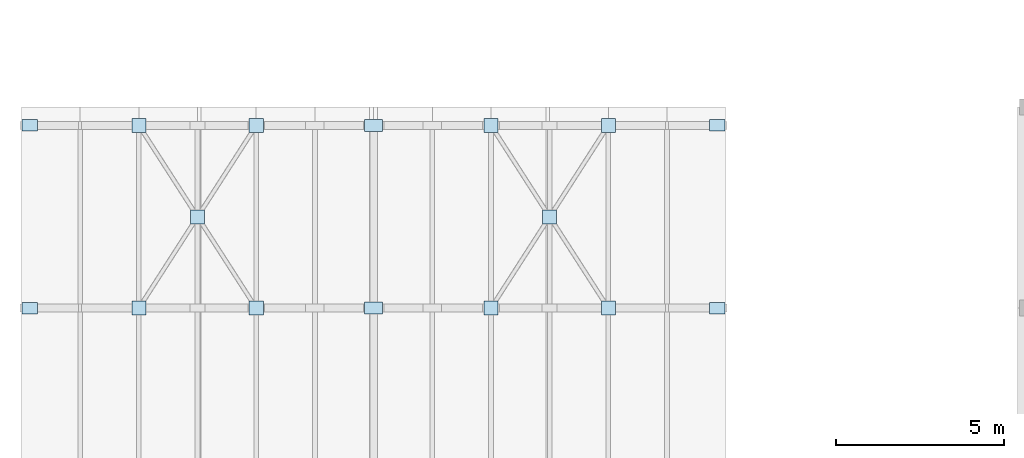
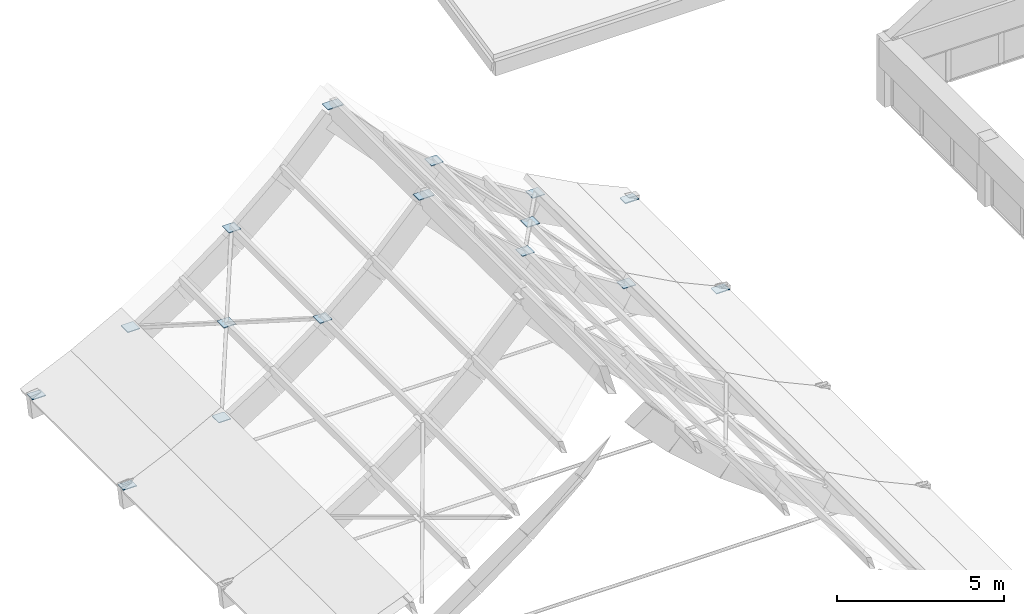
# One storey, part 34 of 45: 16 plates.
"""IFC4 building model written with IfcOpenShell, lengths in metres."""

from ifc_helpers import new_model, si_unit, direction, frame, origin, origin_2d, place, context, subcontext, project, spatial, rectangle, extrude, material, layer, layer_set, type_object, element, save


model = new_model("IFC4")

# Units and contexts
model_context = context("Model", 3, precision=1e-05, world=origin(), true_north=direction((0.0, 1.0)))
body_context = subcontext(model_context, "Body", "Model", "MODEL_VIEW")
ifc_project = project(units=[si_unit("LENGTHUNIT", "METRE"), si_unit("AREAUNIT", "SQUARE_METRE"), si_unit("VOLUMEUNIT", "CUBIC_METRE"), si_unit("PLANEANGLEUNIT", "RADIAN"), si_unit("MASSUNIT", "GRAM", prefix="KILO")], contexts=[model_context])

# Site, building, storey
site_placement = place(None, origin())
site = spatial("IfcSite", under=ifc_project, at=site_placement, CompositionType="ELEMENT")
building_placement = place(site_placement, origin())
building = spatial("IfcBuilding", under=site, at=building_placement, Name="Solvane Community Centre", CompositionType="ELEMENT")
storey_placement = place(building_placement, frame((0.0, 0.0, 13.800048828125)))
storey = spatial("IfcBuildingStorey", under=building, at=storey_placement, Name="L03", CompositionType="ELEMENT", Elevation=13.800048828125)

# Plates
ifc_material = material(Name="Steel ASTM A572 Grade 50", Category="steel")
ifc_layer_1 = layer(ifc_material, 0.02392578125)
ifc_layer_set_1 = layer_set([ifc_layer_1], Name="Steel ASTM A572 Grade 50")
plate_type_1 = type_object("IfcPlateType", Name="Bracing Node Gusset Plate 420x420x24", PredefinedType="USERDEFINED", material=ifc_layer_set_1)
for number, where, z_axis, x_axis, name in (
    (1, (11.25, 74.72509765625, 2.554443359375), (0.0, 0.0, 1.0), (1.0, 0.0, 0.0), "Gusset Plate PLT-L03-0096"),
    (2, (9.5, 72.0, 1.348876953125), (0.0, 0.0, 1.0), (1.0, 0.0, 0.0), "Gusset Plate PLT-L03-0097"),
    (3, (13.0, 77.449951171875, 3.760009765625), (0.0, 0.0, 1.0), (1.0, 0.0, 0.0), "Gusset Plate PLT-L03-0098"),
    (4, (13.0, 72.0, 3.760009765625), (0.0, 0.0, 1.0), (1.0, 0.0, 0.0), "Gusset Plate PLT-L03-0099"),
    (5, (9.5, 77.449951171875, 1.348876953125), (0.0, 0.0, 1.0), (1.0, 0.0, 0.0), "Gusset Plate PLT-L03-0100"),
    (6, (21.75, 74.72509765625, 2.554443359375), (0.0, 0.0, 1.0), (1.0, 0.0, 0.0), "Gusset Plate PLT-L03-0101"),
    (7, (20.0, 72.0, 3.760009765625), (0.0, 0.0, 1.0), (1.0, 0.0, 0.0), "Gusset Plate PLT-L03-0102"),
    (8, (23.5, 77.449951171875, 1.348876953125), (0.0, 0.0, 1.0), (1.0, 0.0, 0.0), "Gusset Plate PLT-L03-0103"),
    (9, (23.5, 72.0, 1.348876953125), (0.0, 0.0, 1.0), (1.0, 0.0, 0.0), "Gusset Plate PLT-L03-0104"),
    (10, (20.0, 77.449951171875, 3.760009765625), (0.0, 0.0, 1.0), (1.0, 0.0, 0.0), "Gusset Plate PLT-L03-0105"),
):
    element("IfcPlate", number, at=place(storey_placement, frame(where, z_axis=z_axis, x_axis=x_axis)), inside=storey, type_object=plate_type_1, Name=name, ObjectType="GUSSET_PLATE", PredefinedType="USERDEFINED", context=body_context, shape_type="SweptSolid", body=[
        extrude(rectangle(XDim=0.419921875, YDim=0.419921875, at=origin_2d()), origin(), (0.0, 0.0, 1.0), 0.02392578125),
    ])
ifc_layer_2 = layer(ifc_material, 0.028076171875)
ifc_layer_set_2 = layer_set([ifc_layer_2], Name="Steel ASTM A572 Grade 50")
plate_type_2 = type_object("IfcPlateType", Name="Sports Vault Apex Gusset 540x360x28", PredefinedType="USERDEFINED", material=ifc_layer_set_2)
for number, where, z_axis, x_axis, name in (
    (11, (16.5, 72.0, 7.0361328125), (0.0, 0.0, 1.0), (1.0, 0.0, 0.0), "Gusset Plate PLT-L03-0072"),
    (12, (16.5, 77.449951171875, 7.0361328125), (0.0, 0.0, 1.0), (1.0, 0.0, 0.0), "Gusset Plate PLT-L03-0075"),
):
    element("IfcPlate", number, at=place(storey_placement, frame(where, z_axis=z_axis, x_axis=x_axis)), inside=storey, type_object=plate_type_2, Name=name, ObjectType="GUSSET_PLATE", PredefinedType="USERDEFINED", context=body_context, shape_type="SweptSolid", body=[
        extrude(rectangle(XDim=0.5400390625, YDim=0.360107421875, at=origin_2d()), origin(), (0.0, 0.0, 1.0), 0.028076171875),
    ])
ifc_layer_3 = layer(ifc_material, 0.031982421875)
ifc_layer_set_3 = layer_set([ifc_layer_3], Name="Steel ASTM A572 Grade 50")
plate_type_3 = type_object("IfcPlateType", Name="Sports Vault Base Shoe Plate 460x340x32", PredefinedType="USERDEFINED", material=ifc_layer_set_3)
for number, where, z_axis, x_axis, name in (
    (13, (6.25, 72.0, 0.00390625), (0.0, 0.0, 1.0), (1.0, 0.0, 0.0), "Gusset Plate PLT-L03-0070"),
    (14, (26.75, 72.0, 0.00390625), (0.0, 0.0, 1.0), (1.0, 0.0, 0.0), "Gusset Plate PLT-L03-0071"),
    (15, (6.25, 77.449951171875, 0.00390625), (0.0, 0.0, 1.0), (1.0, 0.0, 0.0), "Gusset Plate PLT-L03-0073"),
    (16, (26.75, 77.449951171875, 0.00390625), (0.0, 0.0, 1.0), (1.0, 0.0, 0.0), "Gusset Plate PLT-L03-0074"),
):
    element("IfcPlate", number, at=place(storey_placement, frame(where, z_axis=z_axis, x_axis=x_axis)), inside=storey, type_object=plate_type_3, Name=name, ObjectType="GUSSET_PLATE", PredefinedType="USERDEFINED", context=body_context, shape_type="SweptSolid", body=[
        extrude(rectangle(XDim=0.4599609375, YDim=0.340087890625, at=origin_2d()), origin(), (0.0, 0.0, 1.0), 0.031982421875),
    ])

save(model, "model.ifc")
